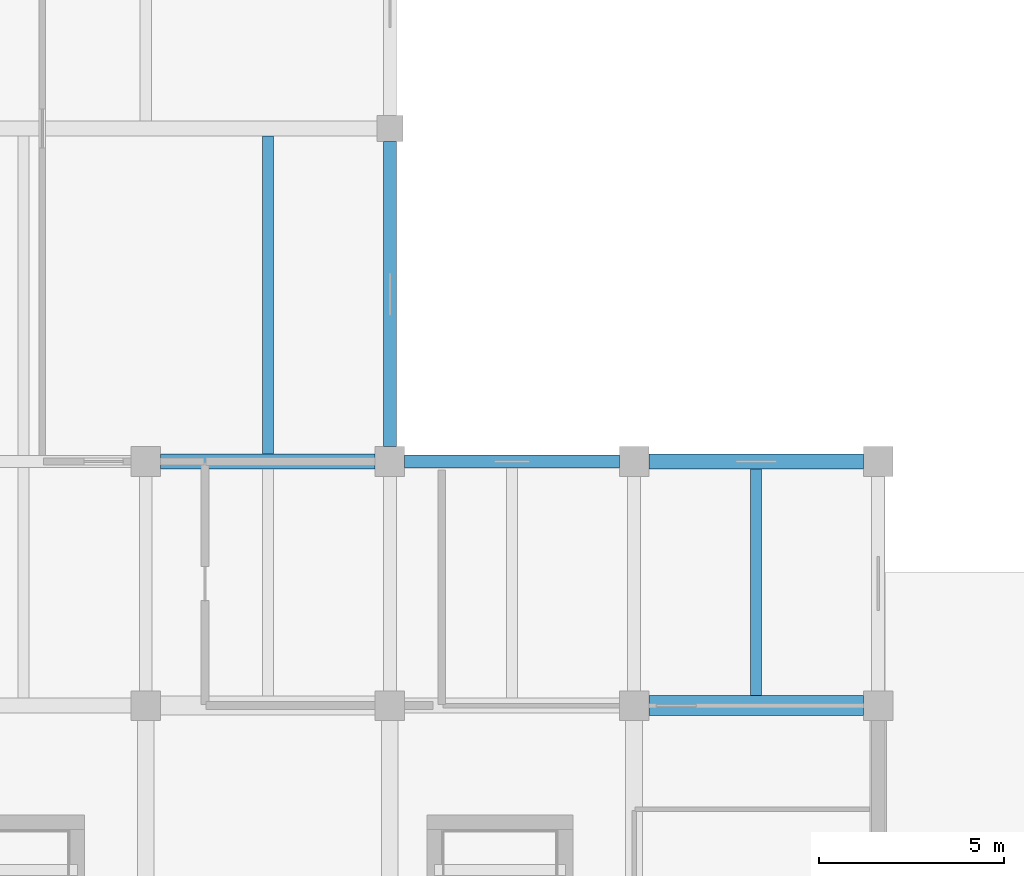
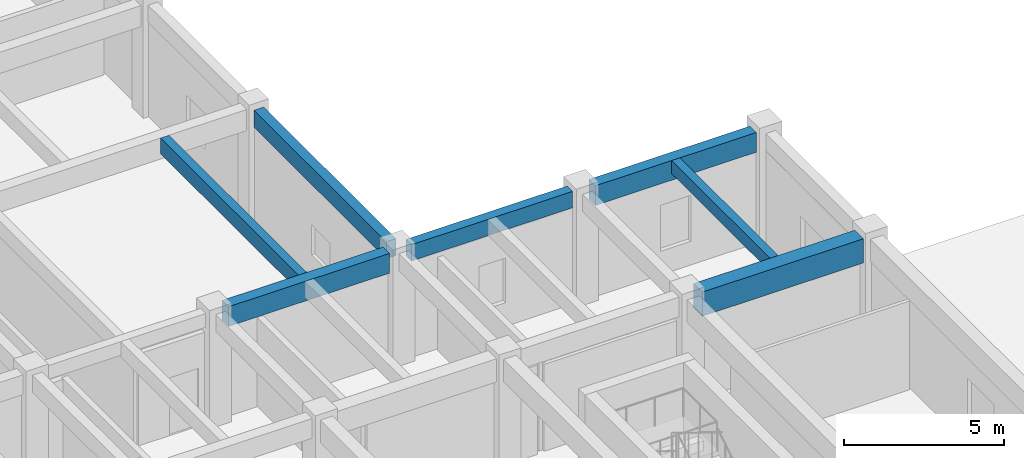
# One storey, part 6 of 34: 7 beams.
"""IFC4 building model written with IfcOpenShell, lengths in metres."""

from ifc_helpers import new_model, si_unit, direction, frame, origin, origin_2d, place, context, subcontext, project, spatial, rectangle, extrude, material, material_profile, profile_set, type_object, element, save


model = new_model("IFC4")

# Units and contexts
model_context = context("Model", 3, precision=1e-05, world=origin(), true_north=direction((0.0, 1.0)))
body_context = subcontext(model_context, "Body", "Model", "MODEL_VIEW")
ifc_project = project(units=[si_unit("LENGTHUNIT", "METRE"), si_unit("AREAUNIT", "SQUARE_METRE"), si_unit("VOLUMEUNIT", "CUBIC_METRE"), si_unit("PLANEANGLEUNIT", "RADIAN"), si_unit("MASSUNIT", "GRAM", prefix="KILO")], contexts=[model_context])

# Site, building, storey
site_placement = place(None, origin())
site = spatial("IfcSite", under=ifc_project, at=site_placement, CompositionType="ELEMENT")
building_placement = place(site_placement, origin())
building = spatial("IfcBuilding", under=site, at=building_placement, Name="Miralva Faculty of Natural Sciences", CompositionType="ELEMENT")
storey_placement = place(building_placement, frame((0.0, 0.0, 24.0)))
storey = spatial("IfcBuildingStorey", under=building, at=storey_placement, Name="L05", CompositionType="ELEMENT", Elevation=24.0)

# Beams
ifc_material = material(Name="Concrete C40/50", Category="concrete")
ifc_material_profile_1 = material_profile(ifc_material, rectangle(XDim=0.39990234375, YDim=0.75, at=origin_2d()), Name="RC 400x750")
ifc_profile_set_1 = profile_set([ifc_material_profile_1], Name="Concrete C40/50")
beam_type_1 = type_object("IfcBeamType", Name="BM-B03", PredefinedType="BEAM", material=ifc_profile_set_1)
beam_1_placement = place(storey_placement, frame((16.60009765625, 30.0, 3.875), z_axis=(1.0, 0.0, 0.0), x_axis=(0.0, 1.0, 0.0)))
element("IfcBeam", 1, at=beam_1_placement, inside=storey, type_object=beam_type_1, Name="Girder EW L05-18", PredefinedType="BEAM", context=body_context, shape_type="SweptSolid", body=[
    extrude(rectangle(XDim=0.39990234375, YDim=0.75, at=origin_2d()), origin(), (0.0, 0.0, 1.0), 5.7998046875),
])
beam_2_placement = place(storey_placement, frame((29.800048828125, 30.0, 3.85498046875), z_axis=(1.0, 0.0, 0.0), x_axis=(0.0, 1.0, 0.0)))
element("IfcBeam", 2, at=beam_2_placement, inside=storey, type_object=beam_type_1, Name="Girder EW L05-20", PredefinedType="BEAM", context=body_context, shape_type="SweptSolid", body=[
    extrude(rectangle(XDim=0.39990234375, YDim=0.75, at=origin_2d()), origin(), (0.0, 0.0, 1.0), 5.800048828125),
])
ifc_material_profile_2 = material_profile(ifc_material, rectangle(XDim=0.35009765625, YDim=0.64990234375, at=origin_2d()), Name="RC 350x650")
ifc_profile_set_2 = profile_set([ifc_material_profile_2], Name="Concrete C40/50")
beam_type_2 = type_object("IfcBeamType", Name="BM-B05", PredefinedType="BEAM", material=ifc_profile_set_2)
beam_3_placement = place(storey_placement, frame((22.800048828125, 30.39990234375, 3.925048828125), z_axis=(0.0, 1.0, 0.0), x_axis=(-1.0, 0.0, 0.0)))
element("IfcBeam", 3, at=beam_3_placement, inside=storey, type_object=beam_type_2, Name="Girder NS L05-53", PredefinedType="BEAM", context=body_context, shape_type="SweptSolid", body=[
    extrude(rectangle(XDim=0.35009765625, YDim=0.64990234375, at=origin_2d()), origin(), (0.0, 0.0, 1.0), 8.25),
])
ifc_material_profile_3 = material_profile(ifc_material, rectangle(XDim=0.340087890625, YDim=0.6201171875, at=origin_2d()), Name="RC 340x620")
ifc_profile_set_3 = profile_set([ifc_material_profile_3], Name="Concrete C40/50")
beam_type_3 = type_object("IfcBeamType", Name="BM-BG03", PredefinedType="BEAM", material=ifc_profile_set_3)
beam_4_placement = place(storey_placement, frame((23.199951171875, 30.0, 3.969970703125), z_axis=(1.0, 0.0, 0.0), x_axis=(0.0, 1.0, 0.0)))
element("IfcBeam", 4, at=beam_4_placement, inside=storey, type_object=beam_type_3, Name="Girder EW L05-19", PredefinedType="BEAM", context=body_context, shape_type="SweptSolid", body=[
    extrude(rectangle(XDim=0.340087890625, YDim=0.6201171875, at=origin_2d()), origin(), (0.0, 0.0, 1.0), 5.800048828125),
])
ifc_material_profile_4 = material_profile(ifc_material, rectangle(XDim=0.5400390625, YDim=0.919921875, at=origin_2d()), Name="RC 540x920")
ifc_profile_set_4 = profile_set([ifc_material_profile_4], Name="Concrete C40/50")
beam_type_4 = type_object("IfcBeamType", Name="BM-BG21", PredefinedType="BEAM", material=ifc_profile_set_4)
beam_5_placement = place(storey_placement, frame((29.800048828125, 23.39990234375, 3.77001953125), z_axis=(1.0, 0.0, 0.0), x_axis=(0.0, 1.0, 0.0)))
element("IfcBeam", 5, at=beam_5_placement, inside=storey, type_object=beam_type_4, Name="Girder EW L05-15", PredefinedType="BEAM", context=body_context, shape_type="SweptSolid", body=[
    extrude(rectangle(XDim=0.5400390625, YDim=0.919921875, at=origin_2d()), origin(), (0.0, 0.0, 1.0), 5.800048828125),
])
ifc_material_profile_5 = material_profile(ifc_material, rectangle(XDim=0.300048828125, YDim=0.60009765625, at=origin_2d()), Name="RC 300x600")
ifc_profile_set_5 = profile_set([ifc_material_profile_5], Name="Concrete C40/50")
beam_type_5 = type_object("IfcBeamType", Name="BM-J01", PredefinedType="JOIST", material=ifc_profile_set_5)
beam_6_placement = place(storey_placement, frame((19.5, 30.199951171875, 3.949951171875), z_axis=(0.0, 1.0, 0.0), x_axis=(-1.0, 0.0, 0.0)))
element("IfcBeam", 6, at=beam_6_placement, inside=storey, type_object=beam_type_5, Name="Floor joist L05-13", PredefinedType="JOIST", context=body_context, shape_type="SweptSolid", body=[
    extrude(rectangle(XDim=0.300048828125, YDim=0.60009765625, at=origin_2d()), origin(), (0.0, 0.0, 1.0), 8.60009765625),
])
ifc_material_profile_6 = material_profile(ifc_material, rectangle(XDim=0.300048828125, YDim=0.5, at=origin_2d()), Name="RC 300x500")
ifc_profile_set_6 = profile_set([ifc_material_profile_6], Name="Concrete C40/50")
beam_type_6 = type_object("IfcBeamType", Name="BM-J03", PredefinedType="JOIST", material=ifc_profile_set_6)
beam_7_placement = place(storey_placement, frame((32.699951171875, 23.669921875, 3.97998046875), z_axis=(0.0, 1.0, 0.0), x_axis=(-1.0, 0.0, 0.0)))
element("IfcBeam", 7, at=beam_7_placement, inside=storey, type_object=beam_type_6, Name="Floor joist L05-10", PredefinedType="JOIST", context=body_context, shape_type="SweptSolid", body=[
    extrude(rectangle(XDim=0.300048828125, YDim=0.5, at=origin_2d()), origin(), (0.0, 0.0, 1.0), 6.130126953125),
])

save(model, "model.ifc")
